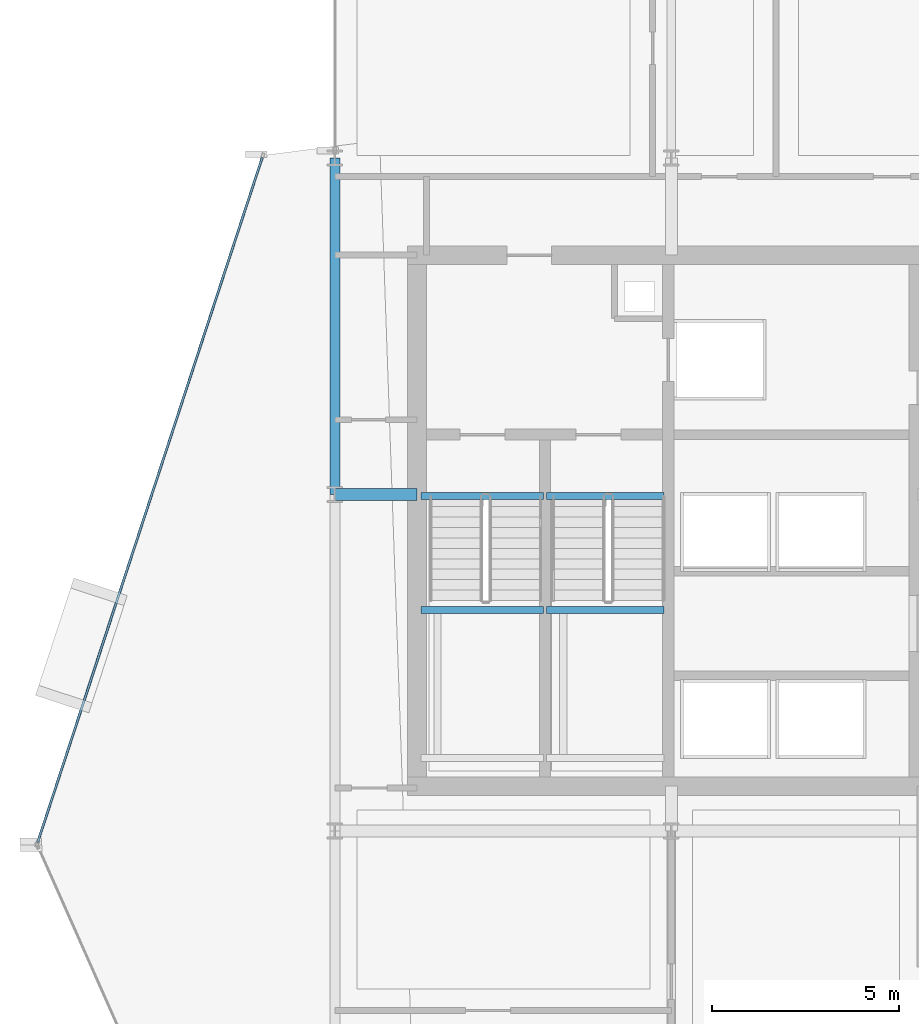
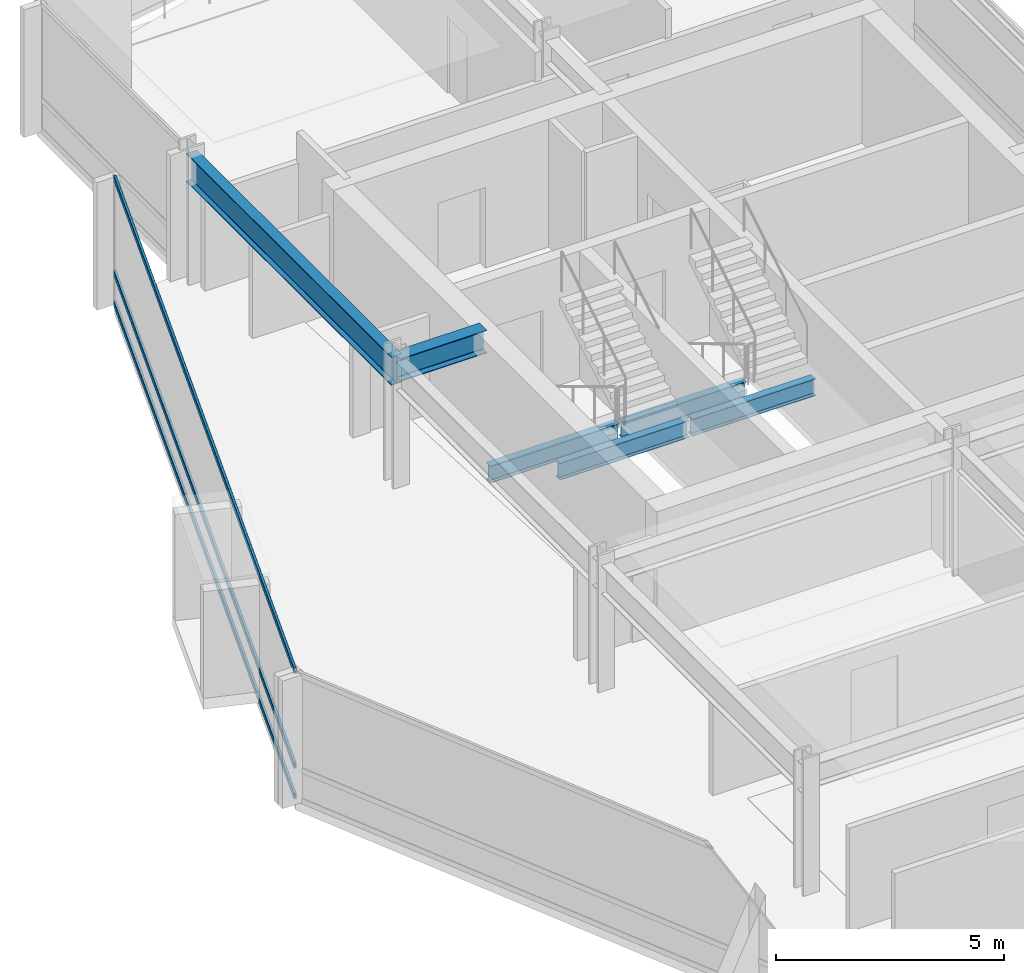
# One storey, part 15 of 29: 6 beams, 3 members, 1 element without a shape of its own.
"""IFC4 building model written with IfcOpenShell, lengths in metres."""

from ifc_helpers import new_model, si_unit, direction, frame, origin, origin_2d, place, context, subcontext, project, spatial, hollow_rectangle, i_section, extrude, material, layer, layer_set, material_profile, profile_set, type_object, element, aggregate, save


model = new_model("IFC4")

# Units and contexts
model_context = context("Model", 3, precision=1e-05, world=origin(), true_north=direction((0.0, 1.0)))
body_context = subcontext(model_context, "Body", "Model", "MODEL_VIEW")
ifc_project = project(units=[si_unit("LENGTHUNIT", "METRE"), si_unit("AREAUNIT", "SQUARE_METRE"), si_unit("VOLUMEUNIT", "CUBIC_METRE"), si_unit("PLANEANGLEUNIT", "RADIAN"), si_unit("MASSUNIT", "GRAM", prefix="KILO")], contexts=[model_context])

# Site, building, storey
site_placement = place(None, origin())
site = spatial("IfcSite", under=ifc_project, at=site_placement, CompositionType="ELEMENT")
building_placement = place(site_placement, origin())
building = spatial("IfcBuilding", under=site, at=building_placement, Name="Solvaryn Broadcast Tower", CompositionType="ELEMENT")
storey_placement = place(building_placement, frame((0.0, 0.0, 147.0)))
storey = spatial("IfcBuildingStorey", under=building, at=storey_placement, Name="L36", CompositionType="ELEMENT", Elevation=147.0)

# Beams
ifc_material_1 = material(Name="Steel ASTM A992 Grade 50", Category="steel")
ifc_material_profile_1 = material_profile(ifc_material_1, i_section(OverallWidth=0.323974609375, OverallDepth=0.611083984375, WebThickness=0.0126953125, FlangeThickness=0.01904296875, FilletRadius=0.014892578125, at=origin_2d()))
ifc_profile_set_1 = profile_set([ifc_material_profile_1], Name="Steel ASTM A992 Grade 50")
beam_type_1 = type_object("IfcBeamType", Name="BM-B1-W24X104", PredefinedType="BEAM", material=ifc_profile_set_1)
beam_1_placement = place(storey_placement, frame((9.0, 36.0, 3.114501953125), z_axis=(1.0, 0.0, 0.0), x_axis=(0.0, 1.0, 0.0)))
element("IfcBeam", 1, at=beam_1_placement, inside=storey, type_object=beam_type_1, Name="L36 Core Tie Beam CTW1", PredefinedType="BEAM", context=body_context, shape_type="SweptSolid", body=[
    extrude(i_section(OverallWidth=0.323974609375, OverallDepth=0.611083984375, WebThickness=0.0126953125, FlangeThickness=0.01904296875, FilletRadius=0.014892578125, at=origin_2d()), origin(), (0.0, 0.0, 1.0), 2.199951171875),
])
ifc_material_2 = material(Name="Steel ASTM A992 Grade 50", Category="steel")
ifc_material_profile_2 = material_profile(ifc_material_2, i_section(OverallWidth=0.18994140625, OverallDepth=0.45703125, WebThickness=0.009033203125, FlangeThickness=0.014404296875, FilletRadius=0.011962890625, at=origin_2d()))
ifc_profile_set_2 = profile_set([ifc_material_profile_2], Name="Steel ASTM A992 Grade 50")
beam_type_2 = type_object("IfcBeamType", Name="BM-B4-W18X50", PredefinedType="BEAM", material=ifc_profile_set_2)
for number, where, z_axis, x_axis, name in (
    (2, (11.300048828125, 35.9599609375, -0.508544921875), (1.0, 0.0, 0.0), (0.0, 1.0, 0.0), "L36 ST1 Stair Well Trimmer Beam"),
    (3, (11.300048828125, 32.909912109375, 1.42138671875), (1.0, 0.0, 0.0), (0.0, 1.0, 0.0), "L36 ST1 Landing Support Beam 1B"),
):
    element("IfcBeam", number, at=place(storey_placement, frame(where, z_axis=z_axis, x_axis=x_axis)), inside=storey, type_object=beam_type_2, Name=name, PredefinedType="BEAM", context=body_context, shape_type="SweptSolid", body=[
        extrude(i_section(OverallWidth=0.18994140625, OverallDepth=0.45703125, WebThickness=0.009033203125, FlangeThickness=0.014404296875, FilletRadius=0.011962890625, at=origin_2d()), origin(), (0.0, 0.0, 1.0), 3.280029296875),
    ])
for number, where, z_axis, x_axis, name in (
    (4, (14.659912109375, 35.9599609375, -0.508544921875), (1.0, 0.0, 0.0), (0.0, 1.0, 0.0), "L36 ST2 Stair Well Trimmer Beam"),
    (5, (14.659912109375, 32.909912109375, 1.42138671875), (1.0, 0.0, 0.0), (0.0, 1.0, 0.0), "L36 ST2 Landing Support Beam 1B"),
):
    element("IfcBeam", number, at=place(storey_placement, frame(where, z_axis=z_axis, x_axis=x_axis)), inside=storey, type_object=beam_type_2, Name=name, PredefinedType="BEAM", context=body_context, shape_type="SweptSolid", body=[
        extrude(i_section(OverallWidth=0.18994140625, OverallDepth=0.45703125, WebThickness=0.009033203125, FlangeThickness=0.014404296875, FilletRadius=0.011962890625, at=origin_2d()), origin(), (0.0, 0.0, 1.0), 3.14013671875),
    ])
ifc_material_3 = material(Name="Steel ASTM A992 Grade 50", Category="steel")
ifc_material_profile_3 = material_profile(ifc_material_3, i_section(OverallWidth=0.26708984375, OverallDepth=0.76611328125, WebThickness=0.014892578125, FlangeThickness=0.023681640625, FilletRadius=0.01806640625, at=origin_2d()))
ifc_profile_set_3 = profile_set([ifc_material_profile_3], Name="Steel ASTM A992 Grade 50")
beam_type_3 = type_object("IfcBeamType", Name="BM-SP2-W30X124", PredefinedType="USERDEFINED", material=ifc_profile_set_3)
beam_2_placement = place(storey_placement, frame((9.0, 36.0, 3.037109375), z_axis=(0.0, 1.0, 0.0), x_axis=(-1.0, 0.0, 0.0)))
element("IfcBeam", 6, at=beam_2_placement, inside=storey, type_object=beam_type_3, Name="L36 Spandrel Beam Y (36-45 @ X=9)", ObjectType="SPANDREL", PredefinedType="USERDEFINED", context=body_context, shape_type="SweptSolid", body=[
    extrude(i_section(OverallWidth=0.26708984375, OverallDepth=0.76611328125, WebThickness=0.014892578125, FlangeThickness=0.023681640625, FilletRadius=0.01806640625, at=origin_2d()), origin(), (0.0, 0.0, 1.0), 9.0),
])

# Curtain wall, members
ifc_material_4 = material(Name="Aluminium and Terracotta Unitised Curtain Wall", Category="masonry")
ifc_layer = layer(ifc_material_4, 0.199951171875)
ifc_layer_set = layer_set([ifc_layer], Name="CW-SYS2-LOWMID")
curtain_wall_type = type_object("IfcCurtainWallType", Name="CW-SYS2-LOWMID", PredefinedType="NOTDEFINED", material=ifc_layer_set)
curtain_wall_placement = place(storey_placement, origin())
curtain_wall = element("IfcCurtainWall", 7, at=curtain_wall_placement, inside=storey, type_object=curtain_wall_type, Name="L36 Curtain Wall DR1", PredefinedType="NOTDEFINED")
ifc_material_5 = material(Name="Anodised Aluminium 6063-T6", Category="aluminium")
ifc_material_profile_4 = material_profile(ifc_material_5, hollow_rectangle(XDim=0.06494140625, YDim=0.14990234375, WallThickness=0.00390625, InnerFilletRadius=0.00390625, OuterFilletRadius=0.008056640625, at=origin_2d()))
ifc_profile_set_4 = profile_set([ifc_material_profile_4], Name="Anodised Aluminium 6063-T6")
member_type = type_object("IfcMemberType", Name="CW-TRN-150", PredefinedType="USERDEFINED", material=ifc_profile_set_4)
member_1_placement = place(storey_placement, frame((7.060302734375, 45.010009765625, 0.030029296875), z_axis=(-0.31164571445, -0.950198373323, 0.0), x_axis=(0.950198373323, -0.31164571445, 0.0)))
member_1 = element("IfcMember", 8, at=member_1_placement, type_object=member_type, Name="CWS2 transom 1.1", ObjectType="TRANSOM", PredefinedType="USERDEFINED", context=body_context, shape_type="SweptSolid", body=[
    extrude(hollow_rectangle(XDim=0.06494140625, YDim=0.14990234375, WallThickness=0.00390625, InnerFilletRadius=0.00390625, OuterFilletRadius=0.008056640625, at=origin_2d()), origin(), (0.0, 0.0, 1.0), 19.27685546875),
])
member_2_placement = place(storey_placement, frame((7.060302734375, 45.010009765625, 0.85009765625), z_axis=(-0.31164571445, -0.950198373323, 0.0), x_axis=(0.950198373323, -0.31164571445, 0.0)))
member_2 = element("IfcMember", 9, at=member_2_placement, type_object=member_type, Name="CWS2 transom 1.2", ObjectType="TRANSOM", PredefinedType="USERDEFINED", context=body_context, shape_type="SweptSolid", body=[
    extrude(hollow_rectangle(XDim=0.06494140625, YDim=0.14990234375, WallThickness=0.00390625, InnerFilletRadius=0.00390625, OuterFilletRadius=0.008056640625, at=origin_2d()), origin(), (0.0, 0.0, 1.0), 19.27685546875),
])
member_3_placement = place(storey_placement, frame((7.060302734375, 45.010009765625, 3.389892578125), z_axis=(-0.31164571445, -0.950198373323, 0.0), x_axis=(0.950198373323, -0.31164571445, 0.0)))
member_3 = element("IfcMember", 10, at=member_3_placement, type_object=member_type, Name="CWS2 transom 1.3", ObjectType="TRANSOM", PredefinedType="USERDEFINED", context=body_context, shape_type="SweptSolid", body=[
    extrude(hollow_rectangle(XDim=0.06494140625, YDim=0.14990234375, WallThickness=0.00390625, InnerFilletRadius=0.00390625, OuterFilletRadius=0.008056640625, at=origin_2d()), origin(), (0.0, 0.0, 1.0), 19.27685546875),
])
aggregate(curtain_wall, [member_1, member_2, member_3])

save(model, "model.ifc")
